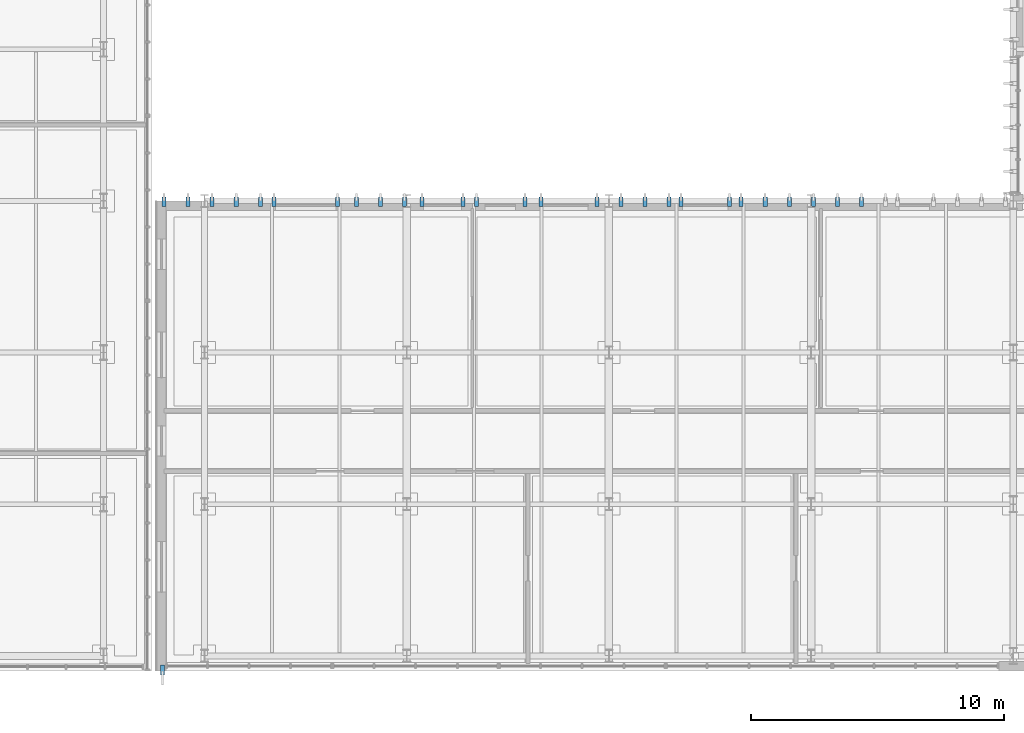
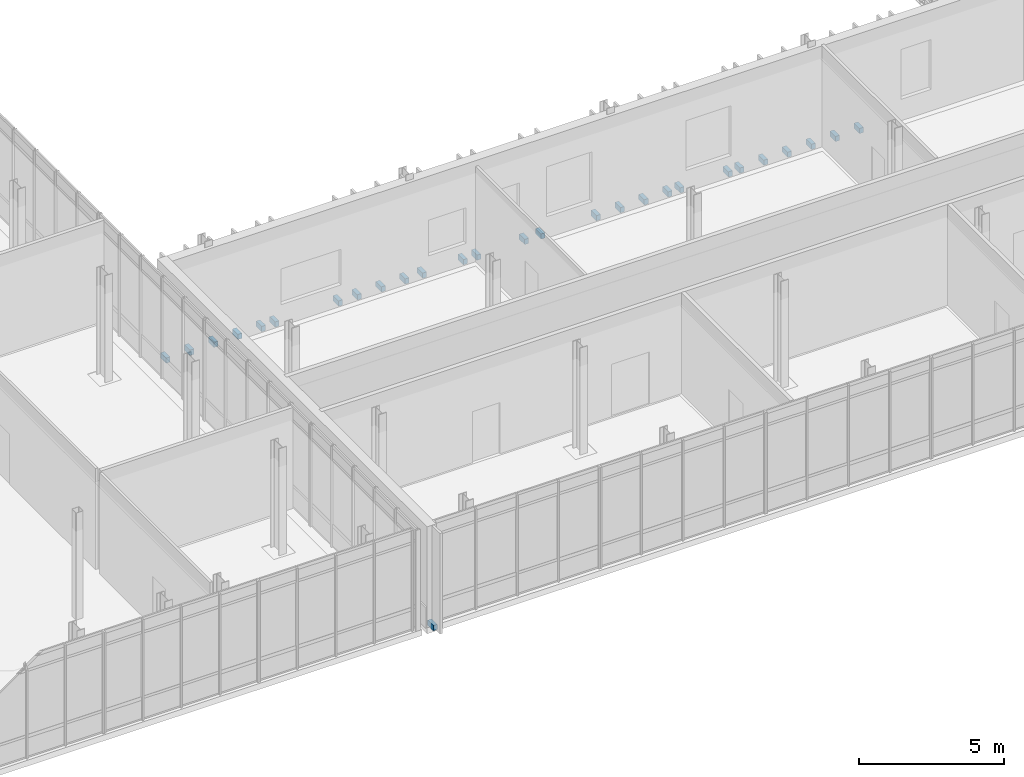
# One storey, part 76 of 100: 28 discrete accessories.
"""IFC4 building model written with IfcOpenShell, lengths in metres."""

from ifc_helpers import new_model, si_unit, direction, frame, origin, origin_2d, place, context, subcontext, project, spatial, rectangle, extrude, material, type_object, element, save


model = new_model("IFC4")

# Units and contexts
model_context = context("Model", 3, precision=1e-05, world=origin(), true_north=direction((0.0, 1.0)))
body_context = subcontext(model_context, "Body", "Model", "MODEL_VIEW")
ifc_project = project(units=[si_unit("LENGTHUNIT", "METRE"), si_unit("AREAUNIT", "SQUARE_METRE"), si_unit("VOLUMEUNIT", "CUBIC_METRE"), si_unit("PLANEANGLEUNIT", "RADIAN"), si_unit("MASSUNIT", "GRAM", prefix="KILO")], contexts=[model_context])

# Site, building, storey
site_placement = place(None, origin())
site = spatial("IfcSite", under=ifc_project, at=site_placement, CompositionType="ELEMENT")
building_placement = place(site_placement, origin())
building = spatial("IfcBuilding", under=site, at=building_placement, Name="Cymarion Research Institute", CompositionType="ELEMENT")
storey_placement = place(building_placement, frame((0.0, 0.0, 4.800048828125)))
storey = spatial("IfcBuildingStorey", under=building, at=storey_placement, Name="L01", CompositionType="ELEMENT", Elevation=4.800048828125)

# Discrete accessories
ifc_material = material(Name="Steel S355", Category="steel")
discrete_accessory_type = type_object("IfcDiscreteAccessoryType", Name="STAINLESS STEEL FACADE FIN BRACKET FBK1", PredefinedType="BRACKET", material=ifc_material)
for number, where, z_axis, x_axis, name in (
    (1, (104.93994140625, 4.93994140625, -0.08984375), (0.0, 0.0, 1.0), (0.0, -1.0, 0.0), "L01 V1 precast fin anchor bracket #105"),
    (2, (132.59130859375, 23.4599609375, -0.08984375), (0.0, 0.0, 1.0), (0.0, 1.0, 0.0), "L01 V1 precast fin anchor bracket #183"),
    (3, (131.639892578125, 23.4599609375, -0.08984375), (0.0, 0.0, 1.0), (0.0, 1.0, 0.0), "L01 V1 precast fin anchor bracket #184"),
    (4, (130.688720703125, 23.4599609375, -0.08984375), (0.0, 0.0, 1.0), (0.0, 1.0, 0.0), "L01 V1 precast fin anchor bracket #185"),
    (5, (129.737060546875, 23.4599609375, -0.08984375), (0.0, 0.0, 1.0), (0.0, 1.0, 0.0), "L01 V1 precast fin anchor bracket #186"),
    (6, (128.78564453125, 23.4599609375, -0.08984375), (0.0, 0.0, 1.0), (0.0, 1.0, 0.0), "L01 V1 precast fin anchor bracket #187"),
    (7, (127.834228515625, 23.4599609375, -0.08984375), (0.0, 0.0, 1.0), (0.0, 1.0, 0.0), "L01 V1 precast fin anchor bracket #188"),
    (8, (127.3798828125, 23.4599609375, -0.08984375), (0.0, 0.0, 1.0), (0.0, 1.0, 0.0), "L01 V1 precast fin anchor bracket #189"),
    (9, (125.4599609375, 23.4599609375, -0.08984375), (0.0, 0.0, 1.0), (0.0, 1.0, 0.0), "L01 V1 precast fin anchor bracket #190"),
    (10, (124.97998046875, 23.4599609375, -0.08984375), (0.0, 0.0, 1.0), (0.0, 1.0, 0.0), "L01 V1 precast fin anchor bracket #191"),
    (11, (124.028564453125, 23.4599609375, -0.08984375), (0.0, 0.0, 1.0), (0.0, 1.0, 0.0), "L01 V1 precast fin anchor bracket #192"),
    (12, (123.0771484375, 23.4599609375, -0.08984375), (0.0, 0.0, 1.0), (0.0, 1.0, 0.0), "L01 V1 precast fin anchor bracket #193"),
    (13, (122.125732421875, 23.4599609375, -0.08984375), (0.0, 0.0, 1.0), (0.0, 1.0, 0.0), "L01 V1 precast fin anchor bracket #194"),
    (14, (119.919921875, 23.4599609375, -0.08984375), (0.0, 0.0, 1.0), (0.0, 1.0, 0.0), "L01 V1 precast fin anchor bracket #195"),
    (15, (119.271484375, 23.4599609375, -0.08984375), (0.0, 0.0, 1.0), (0.0, 1.0, 0.0), "L01 V1 precast fin anchor bracket #196"),
    (16, (117.36865234375, 23.4599609375, -0.08984375), (0.0, 0.0, 1.0), (0.0, 1.0, 0.0), "L01 V1 precast fin anchor bracket #197"),
    (17, (116.830078125, 23.4599609375, -0.08984375), (0.0, 0.0, 1.0), (0.0, 1.0, 0.0), "L01 V1 precast fin anchor bracket #198"),
    (18, (115.2099609375, 23.4599609375, -0.08984375), (0.0, 0.0, 1.0), (0.0, 1.0, 0.0), "L01 V1 precast fin anchor bracket #199"),
    (19, (114.514404296875, 23.4599609375, -0.08984375), (0.0, 0.0, 1.0), (0.0, 1.0, 0.0), "L01 V1 precast fin anchor bracket #200"),
    (20, (113.56298828125, 23.4599609375, -0.08984375), (0.0, 0.0, 1.0), (0.0, 1.0, 0.0), "L01 V1 precast fin anchor bracket #201"),
    (21, (112.611328125, 23.4599609375, -0.08984375), (0.0, 0.0, 1.0), (0.0, 1.0, 0.0), "L01 V1 precast fin anchor bracket #202"),
    (22, (111.860107421875, 23.4599609375, -0.08984375), (0.0, 0.0, 1.0), (0.0, 1.0, 0.0), "L01 V1 precast fin anchor bracket #203"),
    (23, (109.340087890625, 23.4599609375, -0.08984375), (0.0, 0.0, 1.0), (0.0, 1.0, 0.0), "L01 V1 precast fin anchor bracket #204"),
    (24, (108.8056640625, 23.4599609375, -0.08984375), (0.0, 0.0, 1.0), (0.0, 1.0, 0.0), "L01 V1 precast fin anchor bracket #205"),
    (25, (107.854248046875, 23.4599609375, -0.08984375), (0.0, 0.0, 1.0), (0.0, 1.0, 0.0), "L01 V1 precast fin anchor bracket #206"),
    (26, (106.90283203125, 23.4599609375, -0.08984375), (0.0, 0.0, 1.0), (0.0, 1.0, 0.0), "L01 V1 precast fin anchor bracket #207"),
    (27, (105.951416015625, 23.4599609375, -0.08984375), (0.0, 0.0, 1.0), (0.0, 1.0, 0.0), "L01 V1 precast fin anchor bracket #208"),
    (28, (105.0, 23.4599609375, -0.08984375), (0.0, 0.0, 1.0), (0.0, 1.0, 0.0), "L01 V1 precast fin anchor bracket #209"),
):
    element("IfcDiscreteAccessory", number, at=place(storey_placement, frame(where, z_axis=z_axis, x_axis=x_axis)), inside=storey, type_object=discrete_accessory_type, Name=name, PredefinedType="BRACKET", context=body_context, shape_type="SweptSolid", body=[
        extrude(rectangle(XDim=0.3798828125, YDim=0.159912109375, at=origin_2d()), origin(), (0.0, 0.0, 1.0), 0.219970703125),
    ])

save(model, "model.ifc")
